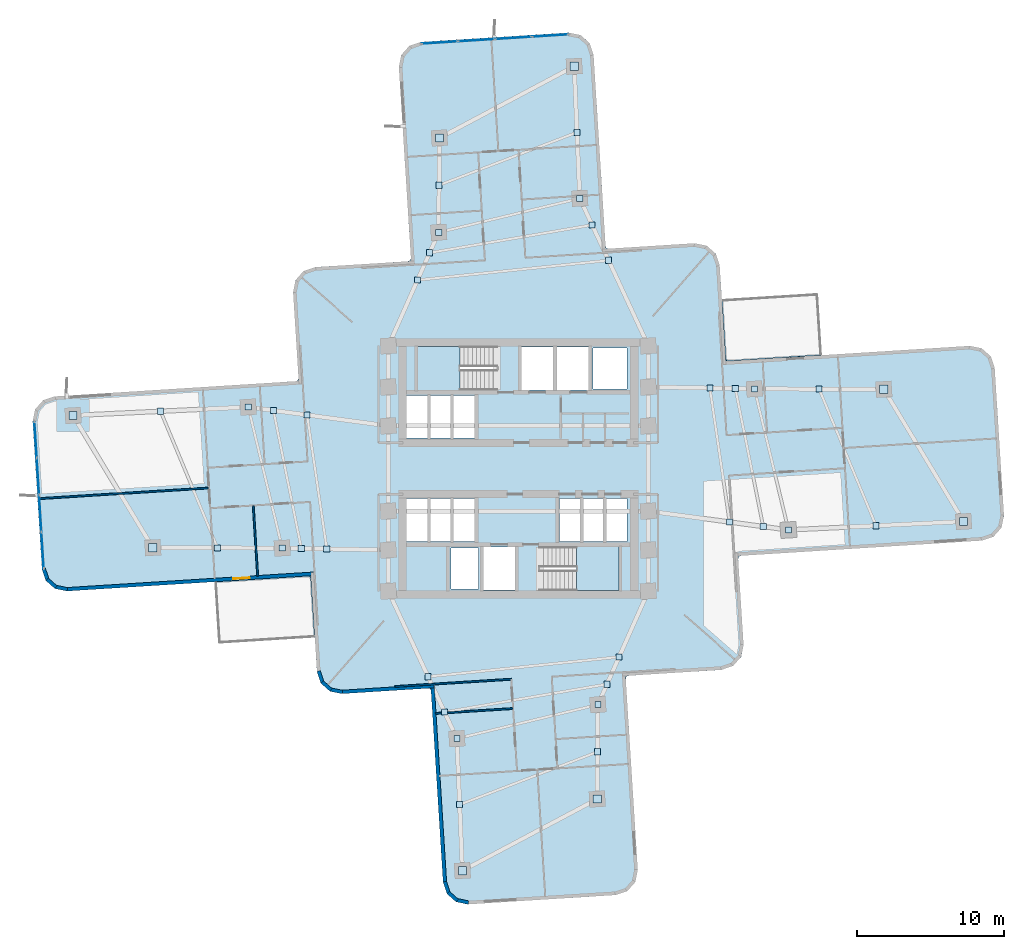
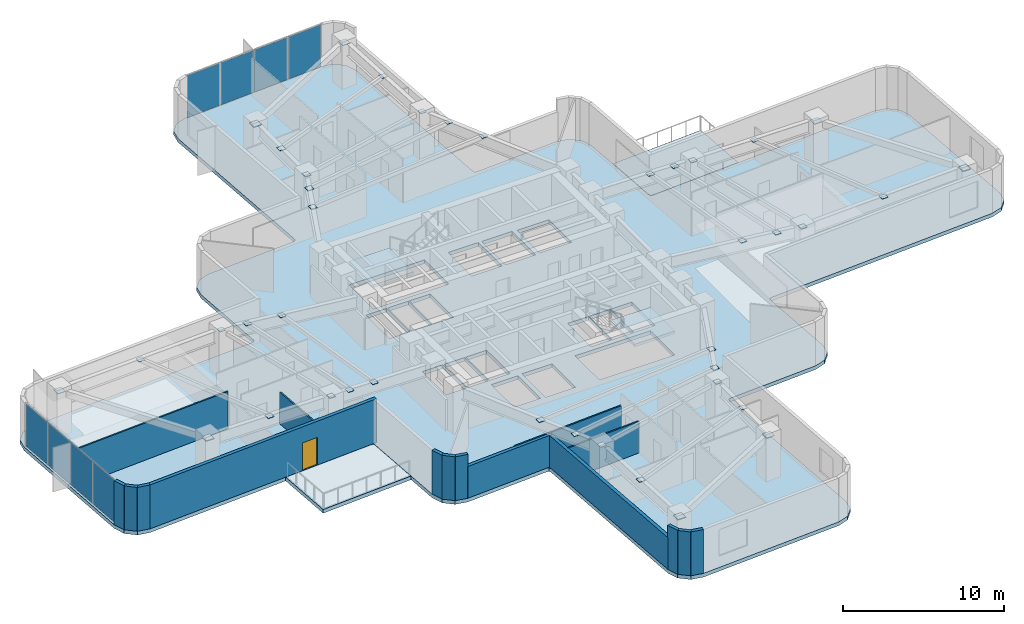
# One storey, part 7 of 16: 48 plates, 16 walls, 5 slabs, 1 door, 1 opening, 4 elements without a shape of their own.
"""IFC4 building model written with IfcOpenShell, lengths in metres."""

from ifc_helpers import new_model, si_unit, direction, frame, frame_2d, origin, origin_2d, place, context, subcontext, project, spatial, polyline, rectangle, outline, extrude, material, layer, layer_set, type_object, element, fill, aggregate, save


model = new_model("IFC4")

# Units and contexts
model_context = context("Model", 3, precision=1e-05, world=origin(), true_north=direction((0.0, 1.0)))
body_context = subcontext(model_context, "Body", "Model", "MODEL_VIEW")
ifc_project = project(units=[si_unit("LENGTHUNIT", "METRE"), si_unit("AREAUNIT", "SQUARE_METRE"), si_unit("VOLUMEUNIT", "CUBIC_METRE"), si_unit("PLANEANGLEUNIT", "RADIAN"), si_unit("MASSUNIT", "GRAM", prefix="KILO")], contexts=[model_context])

# Site, building, storey
site_placement = place(None, origin())
site = spatial("IfcSite", under=ifc_project, at=site_placement, CompositionType="ELEMENT")
building_placement = place(site_placement, origin())
building = spatial("IfcBuilding", under=site, at=building_placement, Name="Solmarez Civic Tower", CompositionType="ELEMENT")
storey_placement = place(building_placement, frame((0.0, 0.0, 53.280029296875)))
storey = spatial("IfcBuildingStorey", under=building, at=storey_placement, Name="L13", CompositionType="ELEMENT", Elevation=53.280029296875)

# Curtain wall, plates
ifc_material_1 = material(Name="Bronze Anodised Aluminium EN AW-6063 T6", Category="aluminium")
ifc_layer_1 = layer(ifc_material_1, 0.155029296875)
ifc_layer_set_1 = layer_set([ifc_layer_1], Name="Bronze Anodised Aluminium EN AW-6063 T6")
curtain_wall_type = type_object("IfcCurtainWallType", Name="CW-SYS-6", PredefinedType="NOTDEFINED", material=ifc_layer_set_1)
curtain_wall_1_placement = place(storey_placement, origin())
curtain_wall_1 = element("IfcCurtainWall", 1, at=curtain_wall_1_placement, inside=storey, type_object=curtain_wall_type, Name="L13 Stick-Built Curtain Wall 1", PredefinedType="NOTDEFINED")
ifc_material_2 = material(Name="Solar Control Low-E Laminated Vision Glass", Category="glass")
ifc_layer_2 = layer(ifc_material_2, 0.031982421875)
ifc_layer_set_2 = layer_set([ifc_layer_2], Name="Solar Control Low-E Laminated Vision Glass")
plate_type_1 = type_object("IfcPlateType", Name="CWP-GLAZ-32", PredefinedType="CURTAIN_PANEL", material=ifc_layer_set_2)
plate_1_placement = place(storey_placement, frame((-32.3935546875, -5.57470703125, 0.06005859375), z_axis=(0.0, 0.0, 1.0), x_axis=(-0.062877615886, 0.998021244974, 0.0)))
plate_1 = element("IfcPlate", 2, at=plate_1_placement, type_object=plate_type_1, Name="CWS6 panel 1.1", PredefinedType="CURTAIN_PANEL", context=body_context, shape_type="SweptSolid", body=[
    extrude(rectangle(XDim=2.419677734375, YDim=0.031982421875, at=origin_2d()), origin(), (0.0, 0.0, 1.0), 3.199951171875),
])
plate_2_placement = place(storey_placement, frame((-32.551025390625, -3.072265625, 0.06005859375), z_axis=(0.0, 0.0, 1.0), x_axis=(-0.062877615886, 0.998021244974, 0.0)))
plate_2 = element("IfcPlate", 3, at=plate_2_placement, type_object=plate_type_1, Name="CWS6 panel 2.1", PredefinedType="CURTAIN_PANEL", context=body_context, shape_type="SweptSolid", body=[
    extrude(rectangle(XDim=2.454833984375, YDim=0.031982421875, at=origin_2d()), origin(), (0.0, 0.0, 1.0), 3.199951171875),
])
plate_3_placement = place(storey_placement, frame((-32.7099609375, -0.552734375, 0.06005859375), z_axis=(0.0, 0.0, 1.0), x_axis=(-0.062877615886, 0.998021244974, 0.0)))
plate_3 = element("IfcPlate", 4, at=plate_3_placement, type_object=plate_type_1, Name="CWS6 panel 3.1", PredefinedType="CURTAIN_PANEL", context=body_context, shape_type="SweptSolid", body=[
    extrude(rectangle(XDim=2.454833984375, YDim=0.031982421875, at=origin_2d()), origin(), (0.0, 0.0, 1.0), 3.199951171875),
])
plate_4_placement = place(storey_placement, frame((-32.867431640625, 1.94970703125, 0.06005859375), z_axis=(0.0, 0.0, 1.0), x_axis=(-0.062877615886, 0.998021244974, 0.0)))
plate_4 = element("IfcPlate", 5, at=plate_4_placement, type_object=plate_type_1, Name="CWS6 panel 4.1", PredefinedType="CURTAIN_PANEL", context=body_context, shape_type="SweptSolid", body=[
    extrude(rectangle(XDim=2.419677734375, YDim=0.031982421875, at=origin_2d()), origin(), (0.0, 0.0, 1.0), 3.199951171875),
])
aggregate(curtain_wall_1, [plate_1, plate_2, plate_3, plate_4])

curtain_wall_2_placement = place(storey_placement, origin())
curtain_wall_2 = element("IfcCurtainWall", 6, at=curtain_wall_2_placement, inside=storey, type_object=curtain_wall_type, Name="L13 Stick-Built Curtain Wall 2", PredefinedType="NOTDEFINED")
plate_5_placement = place(storey_placement, frame((-5.36083984375, 29.00048828125, 0.06005859375), z_axis=(0.0, 0.0, 1.0), x_axis=(0.998020853431, 0.062883830323, 0.0)))
plate_5 = element("IfcPlate", 7, at=plate_5_placement, type_object=plate_type_1, Name="CWS6 panel 1.1", PredefinedType="CURTAIN_PANEL", context=body_context, shape_type="SweptSolid", body=[
    extrude(rectangle(XDim=2.41943359375, YDim=0.031982421875, at=origin_2d()), origin(), (0.0, 0.0, 1.0), 3.199951171875),
])
plate_6_placement = place(storey_placement, frame((-2.858642578125, 29.158203125, 0.06005859375), z_axis=(0.0, 0.0, 1.0), x_axis=(0.998020853431, 0.062883830323, 0.0)))
plate_6 = element("IfcPlate", 8, at=plate_6_placement, type_object=plate_type_1, Name="CWS6 panel 2.1", PredefinedType="CURTAIN_PANEL", context=body_context, shape_type="SweptSolid", body=[
    extrude(rectangle(XDim=2.45458984375, YDim=0.031982421875, at=origin_2d()), origin(), (0.0, 0.0, 1.0), 3.199951171875),
])
plate_7_placement = place(storey_placement, frame((-0.33935546875, 29.31689453125, 0.06005859375), z_axis=(0.0, 0.0, 1.0), x_axis=(0.998020853431, 0.062883830323, 0.0)))
plate_7 = element("IfcPlate", 9, at=plate_7_placement, type_object=plate_type_1, Name="CWS6 panel 3.1", PredefinedType="CURTAIN_PANEL", context=body_context, shape_type="SweptSolid", body=[
    extrude(rectangle(XDim=2.45458984375, YDim=0.031982421875, at=origin_2d()), origin(), (0.0, 0.0, 1.0), 3.199951171875),
])
plate_8_placement = place(storey_placement, frame((2.162841796875, 29.474609375, 0.06005859375), z_axis=(0.0, 0.0, 1.0), x_axis=(0.998020853431, 0.062883830323, 0.0)))
plate_8 = element("IfcPlate", 10, at=plate_8_placement, type_object=plate_type_1, Name="CWS6 panel 4.1", PredefinedType="CURTAIN_PANEL", context=body_context, shape_type="SweptSolid", body=[
    extrude(rectangle(XDim=2.41943359375, YDim=0.031982421875, at=origin_2d()), origin(), (0.0, 0.0, 1.0), 3.199951171875),
])
aggregate(curtain_wall_2, [plate_5, plate_6, plate_7, plate_8])

# Plates
ifc_material_3 = material(Name="Steel S355", Category="steel")
ifc_layer_3 = layer(ifc_material_3, 0.02392578125)
ifc_layer_set_3 = layer_set([ifc_layer_3], Name="Steel S355")
plate_type_2 = type_object("IfcPlateType", Name="PLT-CAP-380", PredefinedType="USERDEFINED", material=ifc_layer_set_3)
for number, where, z_axis, x_axis, name in (
    (11, (18.39111328125, -4.18408203125, 3.157958984375), (0.0, 0.0, 1.0), (1.0, 0.0, 0.0), "Steel Member End Cap Plate CAP-BM-L13-EA-T1-0"),
    (12, (16.075927734375, 5.4208984375, 3.157958984375), (0.0, 0.0, 1.0), (1.0, 0.0, 0.0), "Steel Member End Cap Plate CAP-BM-L13-EA-T1-1"),
    (13, (24.35498046875, -3.89697265625, 3.157958984375), (0.0, 0.0, 1.0), (1.0, 0.0, 0.0), "Steel Member End Cap Plate CAP-JS-L13-EA-M2-0"),
    (14, (20.48193359375, 5.406982421875, 3.157958984375), (0.0, 0.0, 1.0), (1.0, 0.0, 0.0), "Steel Member End Cap Plate CAP-JS-L13-EA-M2-1"),
    (15, (14.384033203125, -3.64501953125, 3.157958984375), (0.0, 0.0, 1.0), (1.0, 0.0, 0.0), "Steel Member End Cap Plate CAP-JS-L13-EA-M11-0"),
    (16, (13.041015625, 5.47509765625, 3.157958984375), (0.0, 0.0, 1.0), (1.0, 0.0, 0.0), "Steel Member End Cap Plate CAP-JS-L13-EA-M11-1"),
    (17, (16.674072265625, -3.952880859375, 3.157958984375), (0.0, 0.0, 1.0), (1.0, 0.0, 0.0), "Steel Member End Cap Plate CAP-JS-L13-EA-M12-0"),
    (18, (14.77490234375, 5.444091796875, 3.157958984375), (0.0, 0.0, 1.0), (1.0, 0.0, 0.0), "Steel Member End Cap Plate CAP-JS-L13-EA-M12-1"),
    (19, (4.18408203125, 18.39111328125, 3.157958984375), (0.0, 0.0, 1.0), (1.0, 0.0, 0.0), "Steel Member End Cap Plate CAP-BM-L13-NA-T1-0"),
    (20, (-5.4208984375, 16.075927734375, 3.157958984375), (0.0, 0.0, 1.0), (1.0, 0.0, 0.0), "Steel Member End Cap Plate CAP-BM-L13-NA-T1-1"),
    (21, (3.9951171875, 22.886962890625, 3.157958984375), (0.0, 0.0, 1.0), (1.0, 0.0, 0.0), "Steel Member End Cap Plate CAP-JS-L13-NA-M2-0"),
    (22, (-5.39599609375, 19.291015625, 3.157958984375), (0.0, 0.0, 1.0), (1.0, 0.0, 0.0), "Steel Member End Cap Plate CAP-JS-L13-NA-M2-1"),
    (23, (6.14404296875, 14.174072265625, 3.157958984375), (0.0, 0.0, 1.0), (1.0, 0.0, 0.0), "Steel Member End Cap Plate CAP-JS-L13-NA-M11-0"),
    (24, (-6.861083984375, 12.8310546875, 3.157958984375), (0.0, 0.0, 1.0), (1.0, 0.0, 0.0), "Steel Member End Cap Plate CAP-JS-L13-NA-M11-1"),
    (25, (5.02392578125, 16.583984375, 3.157958984375), (0.0, 0.0, 1.0), (1.0, 0.0, 0.0), "Steel Member End Cap Plate CAP-JS-L13-NA-M12-0"),
    (26, (-6.0380859375, 14.68505859375, 3.157958984375), (0.0, 0.0, 1.0), (1.0, 0.0, 0.0), "Steel Member End Cap Plate CAP-JS-L13-NA-M12-1"),
    (27, (-18.39111328125, 4.18408203125, 3.157958984375), (0.0, 0.0, 1.0), (1.0, 0.0, 0.0), "Steel Member End Cap Plate CAP-BM-L13-WA-T1-0"),
    (28, (-16.075927734375, -5.4208984375, 3.157958984375), (0.0, 0.0, 1.0), (1.0, 0.0, 0.0), "Steel Member End Cap Plate CAP-BM-L13-WA-T1-1"),
    (29, (-24.35498046875, 3.89697265625, 3.157958984375), (0.0, 0.0, 1.0), (1.0, 0.0, 0.0), "Steel Member End Cap Plate CAP-JS-L13-WA-M2-0"),
    (30, (-20.48193359375, -5.406982421875, 3.157958984375), (0.0, 0.0, 1.0), (1.0, 0.0, 0.0), "Steel Member End Cap Plate CAP-JS-L13-WA-M2-1"),
    (31, (-14.384033203125, 3.64501953125, 3.157958984375), (0.0, 0.0, 1.0), (1.0, 0.0, 0.0), "Steel Member End Cap Plate CAP-JS-L13-WA-M11-0"),
    (32, (-13.041015625, -5.47509765625, 3.157958984375), (0.0, 0.0, 1.0), (1.0, 0.0, 0.0), "Steel Member End Cap Plate CAP-JS-L13-WA-M11-1"),
    (33, (-16.674072265625, 3.952880859375, 3.157958984375), (0.0, 0.0, 1.0), (1.0, 0.0, 0.0), "Steel Member End Cap Plate CAP-JS-L13-WA-M12-0"),
    (34, (-14.77490234375, -5.444091796875, 3.157958984375), (0.0, 0.0, 1.0), (1.0, 0.0, 0.0), "Steel Member End Cap Plate CAP-JS-L13-WA-M12-1"),
    (35, (-4.18408203125, -18.39111328125, 3.157958984375), (0.0, 0.0, 1.0), (1.0, 0.0, 0.0), "Steel Member End Cap Plate CAP-BM-L13-SA-T1-0"),
    (36, (5.4208984375, -16.075927734375, 3.157958984375), (0.0, 0.0, 1.0), (1.0, 0.0, 0.0), "Steel Member End Cap Plate CAP-BM-L13-SA-T1-1"),
    (37, (-3.9951171875, -22.886962890625, 3.157958984375), (0.0, 0.0, 1.0), (1.0, 0.0, 0.0), "Steel Member End Cap Plate CAP-JS-L13-SA-M2-0"),
    (38, (5.39599609375, -19.291015625, 3.157958984375), (0.0, 0.0, 1.0), (1.0, 0.0, 0.0), "Steel Member End Cap Plate CAP-JS-L13-SA-M2-1"),
    (39, (-6.14404296875, -14.174072265625, 3.157958984375), (0.0, 0.0, 1.0), (1.0, 0.0, 0.0), "Steel Member End Cap Plate CAP-JS-L13-SA-M11-0"),
    (40, (6.861083984375, -12.8310546875, 3.157958984375), (0.0, 0.0, 1.0), (1.0, 0.0, 0.0), "Steel Member End Cap Plate CAP-JS-L13-SA-M11-1"),
    (41, (-5.02392578125, -16.583984375, 3.157958984375), (0.0, 0.0, 1.0), (1.0, 0.0, 0.0), "Steel Member End Cap Plate CAP-JS-L13-SA-M12-0"),
    (42, (6.0380859375, -14.68505859375, 3.157958984375), (0.0, 0.0, 1.0), (1.0, 0.0, 0.0), "Steel Member End Cap Plate CAP-JS-L13-SA-M12-1"),
):
    element("IfcPlate", number, at=place(storey_placement, frame(where, z_axis=z_axis, x_axis=x_axis)), inside=storey, type_object=plate_type_2, Name=name, ObjectType="CAP_PLATE", PredefinedType="USERDEFINED", context=body_context, shape_type="SweptSolid", body=[
        extrude(rectangle(XDim=0.419921875, YDim=0.419921875, at=origin_2d()), origin(), (0.0, 0.0, 1.0), 0.02392578125),
    ])
ifc_layer_4 = layer(ifc_material_3, 0.028076171875)
ifc_layer_set_4 = layer_set([ifc_layer_4], Name="Steel S355")
plate_type_3 = type_object("IfcPlateType", Name="PLT-CAP-540", PredefinedType="USERDEFINED", material=ifc_layer_set_4)
for number, where, z_axis, x_axis, name in (
    (43, (30.318115234375, -3.60888671875, 3.05615234375), (0.0, 0.0, 1.0), (1.0, 0.0, 0.0), "Steel Member End Cap Plate CAP-BM-L13-EA-T2-0"),
    (44, (24.887939453125, 5.39306640625, 3.05615234375), (0.0, 0.0, 1.0), (1.0, 0.0, 0.0), "Steel Member End Cap Plate CAP-BM-L13-EA-T2-1"),
    (45, (3.806884765625, 27.383056640625, 3.05615234375), (0.0, 0.0, 1.0), (1.0, 0.0, 0.0), "Steel Member End Cap Plate CAP-BM-L13-NA-T2-0"),
    (46, (-5.3720703125, 22.507080078125, 3.05615234375), (0.0, 0.0, 1.0), (1.0, 0.0, 0.0), "Steel Member End Cap Plate CAP-BM-L13-NA-T2-1"),
    (47, (-30.318115234375, 3.60888671875, 3.05615234375), (0.0, 0.0, 1.0), (1.0, 0.0, 0.0), "Steel Member End Cap Plate CAP-BM-L13-WA-T2-0"),
    (48, (-24.887939453125, -5.39306640625, 3.05615234375), (0.0, 0.0, 1.0), (1.0, 0.0, 0.0), "Steel Member End Cap Plate CAP-BM-L13-WA-T2-1"),
    (49, (-3.806884765625, -27.383056640625, 3.05615234375), (0.0, 0.0, 1.0), (1.0, 0.0, 0.0), "Steel Member End Cap Plate CAP-BM-L13-SA-T2-0"),
    (50, (5.3720703125, -22.507080078125, 3.05615234375), (0.0, 0.0, 1.0), (1.0, 0.0, 0.0), "Steel Member End Cap Plate CAP-BM-L13-SA-T2-1"),
):
    element("IfcPlate", number, at=place(storey_placement, frame(where, z_axis=z_axis, x_axis=x_axis)), inside=storey, type_object=plate_type_3, Name=name, ObjectType="CAP_PLATE", PredefinedType="USERDEFINED", context=body_context, shape_type="SweptSolid", body=[
        extrude(rectangle(XDim=0.56005859375, YDim=0.56005859375, at=origin_2d()), origin(), (0.0, 0.0, 1.0), 0.028076171875),
    ])

# Stair, slab
ifc_material_4 = material(Name="Concrete C50/60", Category="concrete")
stair_type = type_object("IfcStairType", Name="STAIR-DOGLEG-140W-20R-1800", PredefinedType="HALF_TURN_STAIR", material=ifc_material_4)
stair_1_placement = place(storey_placement, origin())
stair_1 = element("IfcStair", 51, at=stair_1_placement, inside=storey, type_object=stair_type, Name="L13 North Core Protected Exit Stair ST-1", PredefinedType="HALF_TURN_STAIR")
ifc_layer_5 = layer(ifc_material_4, 0.199951171875)
ifc_layer_set_5 = layer_set([ifc_layer_5], Name="Concrete C50/60")
slab_type_1 = type_object("IfcSlabType", Name="SLAB-LANDING-200", PredefinedType="LANDING", material=ifc_layer_set_5)
slab_1_placement = place(storey_placement, frame((0.0, 0.0, 1.599853515625)))
slab_1 = element("IfcSlab", 52, at=slab_1_placement, type_object=slab_type_1, Name="ST-1 landing 1", PredefinedType="LANDING", context=body_context, shape_type="SweptSolid", body=[
    extrude(outline(polyline([(-3.969970703125, 8.320068359375), (-6.85009765625, 8.320068359375), (-6.85009765625, 5.320068359375), (-3.969970703125, 5.320068359375), (-3.969970703125, 8.320068359375)])), origin(), (0.0, 0.0, 1.0), 0.2001953125),
])
aggregate(stair_1, [slab_1])

stair_2_placement = place(storey_placement, origin())
stair_2 = element("IfcStair", 53, at=stair_2_placement, inside=storey, type_object=stair_type, Name="L13 South Core Protected Exit Stair ST-2", PredefinedType="HALF_TURN_STAIR")
slab_2_placement = place(storey_placement, frame((0.0, 0.0, 1.599853515625)))
slab_2 = element("IfcSlab", 54, at=slab_2_placement, type_object=slab_type_1, Name="ST-2 landing 1", PredefinedType="LANDING", context=body_context, shape_type="SweptSolid", body=[
    extrude(outline(polyline([(3.969970703125, -8.320068359375), (6.85009765625, -8.320068359375), (6.85009765625, -5.320068359375), (3.969970703125, -5.320068359375), (3.969970703125, -8.320068359375)])), origin(), (0.0, 0.0, 1.0), 0.2001953125),
])
aggregate(stair_2, [slab_2])

# Slabs
ifc_layer_6 = layer(ifc_material_4, 0.280029296875)
ifc_layer_set_6 = layer_set([ifc_layer_6], Name="Concrete C50/60")
slab_type_2 = type_object("IfcSlabType", Name="SLAB-TOWER-280", PredefinedType="FLOOR", material=ifc_layer_set_6)
slab_3_placement = place(storey_placement, frame((0.0, 0.0, -0.280029296875)))
element("IfcSlab", 55, at=slab_3_placement, inside=storey, type_object=slab_type_2, Name="L13 Structural Slab", PredefinedType="FLOOR", context=body_context, shape_type="SweptSolid", body=[
    extrude(outline(polyline([(-14.10595703125, -7.510986328125), (-13.7080078125, -13.837890625), (-13.444091796875, -14.623046875), (-12.822998046875, -15.1708984375), (-12.010986328125, -15.333984375), (-6.1630859375, -14.967041015625), (-5.993896484375, -15.0009765625), (-5.93994140625, -15.1640625), (-5.12109375, -28.177001953125), (-4.85693359375, -28.9619140625), (-4.235107421875, -29.510009765625), (-3.424072265625, -29.674072265625), (6.636962890625, -29.041015625), (7.422119140625, -28.77587890625), (7.968994140625, -28.155029296875), (8.133056640625, -27.343017578125), (7.31396484375, -14.330078125), (7.347900390625, -14.160888671875), (7.510986328125, -14.10595703125), (13.837890625, -13.7080078125), (14.623046875, -13.444091796875), (15.1708984375, -12.822998046875), (15.333984375, -12.010986328125), (14.967041015625, -6.1630859375), (15.0009765625, -5.993896484375), (15.1640625, -5.93994140625), (31.570068359375, -4.906982421875), (32.35498046875, -4.64306640625), (32.903076171875, -4.02197265625), (33.06689453125, -3.2099609375), (32.43408203125, 6.85009765625), (32.169921875, 7.635009765625), (31.548095703125, 8.18310546875), (30.737060546875, 8.345947265625), (14.330078125, 7.31396484375), (14.160888671875, 7.347900390625), (14.10595703125, 7.510986328125), (13.7080078125, 13.837890625), (13.444091796875, 14.623046875), (12.822998046875, 15.1708984375), (12.010986328125, 15.333984375), (6.1630859375, 14.967041015625), (5.993896484375, 15.0009765625), (5.93994140625, 15.1640625), (5.12109375, 28.177001953125), (4.85693359375, 28.9619140625), (4.235107421875, 29.510009765625), (3.424072265625, 29.674072265625), (-6.636962890625, 29.041015625), (-7.422119140625, 28.77587890625), (-7.968994140625, 28.155029296875), (-8.133056640625, 27.343017578125), (-7.31396484375, 14.330078125), (-7.347900390625, 14.160888671875), (-7.510986328125, 14.10595703125), (-13.837890625, 13.7080078125), (-14.623046875, 13.444091796875), (-15.1708984375, 12.822998046875), (-15.333984375, 12.010986328125), (-14.967041015625, 6.1630859375), (-15.0009765625, 5.993896484375), (-15.1640625, 5.93994140625), (-31.570068359375, 4.906982421875), (-32.35498046875, 4.64306640625), (-32.903076171875, 4.02197265625), (-33.06689453125, 3.2099609375), (-32.43408203125, -6.85009765625), (-32.169921875, -7.635009765625), (-31.548095703125, -8.18310546875), (-30.737060546875, -8.345947265625), (-14.330078125, -7.31396484375), (-14.160888671875, -7.347900390625), (-14.10595703125, -7.510986328125)]), holes=[polyline([(-1.449951171875, 8.320068359375), (-6.85009765625, 8.320068359375), (-6.85009765625, 5.320068359375), (-1.449951171875, 5.320068359375), (-1.449951171875, 8.320068359375)]), polyline([(1.449951171875, -8.320068359375), (6.85009765625, -8.320068359375), (6.85009765625, -5.320068359375), (1.449951171875, -5.320068359375), (1.449951171875, -8.320068359375)]), polyline([(0.219970703125, 5.360107421875), (2.3798828125, 5.360107421875), (2.3798828125, 8.280029296875), (0.219970703125, 8.280029296875), (0.219970703125, 5.360107421875)]), polyline([(2.6201171875, 5.360107421875), (4.780029296875, 5.360107421875), (4.780029296875, 8.280029296875), (2.6201171875, 8.280029296875), (2.6201171875, 5.360107421875)]), polyline([(-2.3798828125, -8.280029296875), (-0.219970703125, -8.280029296875), (-0.219970703125, -5.360107421875), (-2.3798828125, -5.360107421875), (-2.3798828125, -8.280029296875)]), polyline([(2.800048828125, -4.9599609375), (4.280029296875, -4.9599609375), (4.280029296875, -2.06005859375), (2.800048828125, -2.06005859375), (2.800048828125, -4.9599609375)]), polyline([(4.360107421875, -4.9599609375), (5.840087890625, -4.9599609375), (5.840087890625, -2.06005859375), (4.360107421875, -2.06005859375), (4.360107421875, -4.9599609375)]), polyline([(5.919921875, -4.9599609375), (7.39990234375, -4.9599609375), (7.39990234375, -2.06005859375), (5.919921875, -2.06005859375), (5.919921875, -4.9599609375)]), polyline([(-7.60009765625, -4.9599609375), (-6.1201171875, -4.9599609375), (-6.1201171875, -2.06005859375), (-7.60009765625, -2.06005859375), (-7.60009765625, -4.9599609375)]), polyline([(-6.0400390625, -4.9599609375), (-4.56005859375, -4.9599609375), (-4.56005859375, -2.06005859375), (-6.0400390625, -2.06005859375), (-6.0400390625, -4.9599609375)]), polyline([(-4.47998046875, -4.9599609375), (-3.0, -4.9599609375), (-3.0, -2.06005859375), (-4.47998046875, -2.06005859375), (-4.47998046875, -4.9599609375)]), polyline([(-7.60009765625, 2.06005859375), (-6.1201171875, 2.06005859375), (-6.1201171875, 4.9599609375), (-7.60009765625, 4.9599609375), (-7.60009765625, 2.06005859375)]), polyline([(-6.0400390625, 2.06005859375), (-4.56005859375, 2.06005859375), (-4.56005859375, 4.9599609375), (-6.0400390625, 4.9599609375), (-6.0400390625, 2.06005859375)]), polyline([(-4.47998046875, 2.06005859375), (-3.0, 2.06005859375), (-3.0, 4.9599609375), (-4.47998046875, 4.9599609375), (-4.47998046875, 2.06005859375)]), polyline([(5.10009765625, 5.419921875), (7.39990234375, 5.419921875), (7.39990234375, 8.219970703125), (5.10009765625, 8.219970703125), (5.10009765625, 5.419921875)]), polyline([(-4.60009765625, -8.219970703125), (-2.699951171875, -8.219970703125), (-2.699951171875, -5.419921875), (-4.60009765625, -5.419921875), (-4.60009765625, -8.219970703125)])]), origin(), (0.0, 0.0, 1.0), 0.280029296875),
])
slab_4_placement = place(storey_placement, frame((0.0, 0.0, -0.280029296875)))
element("IfcSlab", 56, at=slab_4_placement, inside=storey, type_object=slab_type_2, Name="L13 Re-entrant Corner Winter-Garden Balcony NE", PredefinedType="FLOOR", context=body_context, shape_type="SweptSolid", body=[
    extrude(outline(polyline([(13.85791015625, 11.492919921875), (14.10791015625, 7.511962890625), (14.1630859375, 7.35009765625), (14.330078125, 7.31591796875), (20.656005859375, 7.714111328125), (20.39306640625, 11.904052734375), (13.85791015625, 11.492919921875)])), origin(), (0.0, 0.0, 1.0), 0.280029296875),
])
slab_5_placement = place(storey_placement, frame((0.0, 0.0, -0.280029296875)))
element("IfcSlab", 57, at=slab_5_placement, inside=storey, type_object=slab_type_2, Name="L13 Re-entrant Corner Winter-Garden Balcony SW", PredefinedType="FLOOR", context=body_context, shape_type="SweptSolid", body=[
    extrude(outline(polyline([(-13.85791015625, -11.492919921875), (-14.10791015625, -7.511962890625), (-14.1630859375, -7.35009765625), (-14.330078125, -7.31591796875), (-20.656005859375, -7.714111328125), (-20.39306640625, -11.904052734375), (-13.85791015625, -11.492919921875)])), origin(), (0.0, 0.0, 1.0), 0.280029296875),
])

# Wall, opening, door
ifc_material_5 = material(Name="Precast concrete C40/50", Category="concrete")
ifc_layer_7 = layer(ifc_material_5, 0.239990234375)
ifc_layer_set_7 = layer_set([ifc_layer_7], Name="Precast concrete C40/50")
wall_type_1 = type_object("IfcWallType", Name="WALL-EXT-240", PredefinedType="SOLIDWALL", material=ifc_layer_set_7)
wall_1_placement = place(storey_placement, frame((-13.910888671875, -7.1669921875, 0.0), z_axis=(0.0, 0.0, 1.0), x_axis=(-0.99802143782, -0.062874554885, 0.0)))
wall_1 = element("IfcWall", 58, at=wall_1_placement, inside=storey, type_object=wall_type_1, Name="L13 Exterior Precast Wall 2", PredefinedType="SOLIDWALL", context=body_context, shape_type="SweptSolid", body=[
    extrude(rectangle(XDim=16.87548828125, YDim=0.239990234375, at=frame_2d((8.437744140625, 0.0))), origin(), (0.0, 0.0, 1.0), 3.320068359375),
])
opening_placement = place(wall_1_placement, frame((4.39990234375, 0.0, 0.0)))
opening = element("IfcOpeningElement", 59, at=opening_placement, cuts=wall_1, Name="Opening D-06", PredefinedType="OPENING", context=body_context, shape_type="SweptSolid", body=[
    extrude(rectangle(XDim=1.10009765625, YDim=2.10009765625, at=frame_2d((0.550048828125, 1.050048828125))), frame((0.0, 0.1298828125, 0.0), z_axis=(0.0, -1.0, 0.0), x_axis=(1.0, 0.0, 0.0)), (0.0, 0.0, 1.0), 0.260009765625),
])
ifc_material_6 = material(Name="Bronze Anodised Aluminium Glazed Terrace Door", Category="aluminium")
door_type = type_object("IfcDoorType", Name="DOOR-TERR-1100", OperationType="NOTDEFINED", PredefinedType="DOOR", material=ifc_material_6)
door_placement = place(opening_placement, origin())
door = element("IfcDoor", 60, at=door_placement, inside=storey, type_object=door_type, Name="L13 Outdoor Terrace Glazed Door", OperationType="SINGLE_SWING_RIGHT", OverallHeight=2.10009765625, OverallWidth=1.10009765625, PredefinedType="DOOR", context=body_context, shape_type="SweptSolid", body=[
    extrude(rectangle(XDim=1.10009765625, YDim=2.10009765625, at=frame_2d((0.550048828125, 1.050048828125))), frame((0.0, 0.02490234375, 0.0), z_axis=(0.0, -1.0, 0.0), x_axis=(1.0, 0.0, 0.0)), (0.0, 0.0, 1.0), 0.050048828125),
])
fill(opening, door)

# Walls
wall_2_placement = place(storey_placement, frame((-30.702880859375, -8.23095703125, 0.0), z_axis=(0.0, 0.0, 1.0), x_axis=(-0.980115061473, 0.198430003461, 0.0)))
element("IfcWall", 61, at=wall_2_placement, inside=storey, type_object=wall_type_1, Name="L13 Exterior Precast Wall 3", PredefinedType="SOLIDWALL", context=body_context, shape_type="SweptSolid", body=[
    extrude(rectangle(XDim=0.831787109375, YDim=0.239990234375, at=frame_2d((0.416015625, 0.0))), origin(), (0.0, 0.0, 1.0), 3.320068359375),
])
wall_3_placement = place(storey_placement, frame((-31.47412109375, -8.087890625, 0.0), z_axis=(0.0, 0.0, 1.0), x_axis=(-0.749934065497, 0.661512582954, 0.0)))
element("IfcWall", 62, at=wall_3_placement, inside=storey, type_object=wall_type_1, Name="L13 Exterior Precast Wall 4", PredefinedType="SOLIDWALL", context=body_context, shape_type="SweptSolid", body=[
    extrude(rectangle(XDim=0.814453125, YDim=0.239990234375, at=frame_2d((0.4072265625, 0.0))), origin(), (0.0, 0.0, 1.0), 3.320068359375),
])
wall_4_placement = place(storey_placement, frame((-32.05810546875, -7.590087890625, 0.0), z_axis=(0.0, 0.0, 1.0), x_axis=(-0.318960399163, 0.947768043229, 0.0)))
element("IfcWall", 63, at=wall_4_placement, inside=storey, type_object=wall_type_1, Name="L13 Exterior Precast Wall 5", PredefinedType="SOLIDWALL", context=body_context, shape_type="SweptSolid", body=[
    extrude(rectangle(XDim=0.83056640625, YDim=0.239990234375, at=frame_2d((0.415283203125, 0.0))), origin(), (0.0, 0.0, 1.0), 3.320068359375),
])
wall_5_placement = place(storey_placement, frame((-3.389892578125, -29.55810546875, 0.0), z_axis=(0.0, 0.0, 1.0), x_axis=(-0.980342817353, 0.19730169909, 0.0)))
element("IfcWall", 64, at=wall_5_placement, inside=storey, type_object=wall_type_1, Name="L13 Exterior Precast Wall 61", PredefinedType="SOLIDWALL", context=body_context, shape_type="SweptSolid", body=[
    extrude(rectangle(XDim=0.83154296875, YDim=0.239990234375, at=frame_2d((0.415771484375, 0.0))), origin(), (0.0, 0.0, 1.0), 3.320068359375),
])
wall_6_placement = place(storey_placement, frame((-4.160888671875, -29.416015625, 0.0), z_axis=(0.0, 0.0, 1.0), x_axis=(-0.749322176211, 0.662205614774, 0.0)))
element("IfcWall", 65, at=wall_6_placement, inside=storey, type_object=wall_type_1, Name="L13 Exterior Precast Wall 62", PredefinedType="SOLIDWALL", context=body_context, shape_type="SweptSolid", body=[
    extrude(rectangle(XDim=0.8154296875, YDim=0.239990234375, at=frame_2d((0.40771484375, 0.0))), origin(), (0.0, 0.0, 1.0), 3.320068359375),
])
wall_7_placement = place(storey_placement, frame((-4.7451171875, -28.9169921875, 0.0), z_axis=(0.0, 0.0, 1.0), x_axis=(-0.318960399163, 0.947768043229, 0.0)))
element("IfcWall", 66, at=wall_7_placement, inside=storey, type_object=wall_type_1, Name="L13 Exterior Precast Wall 63", PredefinedType="SOLIDWALL", context=body_context, shape_type="SweptSolid", body=[
    extrude(rectangle(XDim=0.83056640625, YDim=0.239990234375, at=frame_2d((0.415283203125, 0.0))), origin(), (0.0, 0.0, 1.0), 3.320068359375),
])
wall_8_placement = place(storey_placement, frame((-5.0, -28.178955078125, 0.0), z_axis=(0.0, 0.0, 1.0), x_axis=(-0.062848621891, 0.99802307124, 0.0)))
element("IfcWall", 67, at=wall_8_placement, inside=storey, type_object=wall_type_1, Name="L13 Exterior Precast Wall 64", PredefinedType="SOLIDWALL", context=body_context, shape_type="SweptSolid", body=[
    extrude(rectangle(XDim=13.4755859375, YDim=0.239990234375, at=frame_2d((6.73779296875, 0.0))), origin(), (0.0, 0.0, 1.0), 2.40087890625),
])
wall_9_placement = place(storey_placement, frame((-5.7451171875, -14.820068359375, 0.0), z_axis=(0.0, 0.0, 1.0), x_axis=(-0.998019696231, -0.062902193405, 0.0)))
element("IfcWall", 68, at=wall_9_placement, inside=storey, type_object=wall_type_1, Name="L13 Exterior Precast Wall 67", PredefinedType="SOLIDWALL", context=body_context, shape_type="SweptSolid", body=[
    extrude(rectangle(XDim=6.29541015625, YDim=0.239990234375, at=frame_2d((3.147705078125, 0.0))), origin(), (0.0, 0.0, 1.0), 2.40087890625),
])
wall_10_placement = place(storey_placement, frame((-11.97802734375, -15.218994140625, 0.0), z_axis=(0.0, 0.0, 1.0), x_axis=(-0.980057147523, 0.198715846348, 0.0)))
element("IfcWall", 69, at=wall_10_placement, inside=storey, type_object=wall_type_1, Name="L13 Exterior Precast Wall 68", PredefinedType="SOLIDWALL", context=body_context, shape_type="SweptSolid", body=[
    extrude(rectangle(XDim=0.83056640625, YDim=0.239990234375, at=frame_2d((0.415283203125, 0.0))), origin(), (0.0, 0.0, 1.0), 3.320068359375),
])
wall_11_placement = place(storey_placement, frame((-12.748046875, -15.075927734375, 0.0), z_axis=(0.0, 0.0, 1.0), x_axis=(-0.750588777208, 0.66076961759, 0.0)))
element("IfcWall", 70, at=wall_11_placement, inside=storey, type_object=wall_type_1, Name="L13 Exterior Precast Wall 69", PredefinedType="SOLIDWALL", context=body_context, shape_type="SweptSolid", body=[
    extrude(rectangle(XDim=0.8154296875, YDim=0.239990234375, at=frame_2d((0.40771484375, 0.0))), origin(), (0.0, 0.0, 1.0), 3.320068359375),
])
wall_12_placement = place(storey_placement, frame((-13.3330078125, -14.577880859375, 0.0), z_axis=(0.0, 0.0, 1.0), x_axis=(-0.317992207862, 0.948093326492, 0.0)))
element("IfcWall", 71, at=wall_12_placement, inside=storey, type_object=wall_type_1, Name="L13 Exterior Precast Wall 70", PredefinedType="SOLIDWALL", context=body_context, shape_type="SweptSolid", body=[
    extrude(rectangle(XDim=0.829833984375, YDim=0.239990234375, at=frame_2d((0.4150390625, 0.0))), origin(), (0.0, 0.0, 1.0), 3.320068359375),
])
ifc_material_7 = material(Name="Gypsum Board Acoustic Steel-Stud Partition", Category="steel")
ifc_layer_8 = layer(ifc_material_7, 0.10009765625)
ifc_layer_set_8 = layer_set([ifc_layer_8], Name="Gypsum Board Acoustic Steel-Stud Partition")
wall_type_2 = type_object("IfcWallType", Name="WALL-INT-PART-100", PredefinedType="PARTITIONING", material=ifc_layer_set_8)
wall_13_placement = place(storey_placement, frame((-18.0458984375, -2.5380859375, 0.0), z_axis=(0.0, 0.0, 1.0), x_axis=(0.062723771889, -0.998030925593, 0.0)))
element("IfcWall", 72, at=wall_13_placement, inside=storey, type_object=wall_type_2, Name="L13 Interior Partition PT-L13-W-LM", PredefinedType="PARTITIONING", context=body_context, shape_type="SweptSolid", body=[
    extrude(rectangle(XDim=4.79541015625, YDim=0.10009765625, at=frame_2d((2.397705078125, 0.0))), origin(), (0.0, 0.0, 1.0), 2.40087890625),
])
wall_14_placement = place(storey_placement, frame((-21.117919921875, -1.3291015625, 0.0), z_axis=(0.0, 0.0, 1.0), x_axis=(-0.998026908856, -0.062787651642, 0.0)))
element("IfcWall", 73, at=wall_14_placement, inside=storey, type_object=wall_type_2, Name="L13 Interior Partition PT-L13-W-TM", PredefinedType="PARTITIONING", context=body_context, shape_type="SweptSolid", body=[
    extrude(rectangle(XDim=11.435546875, YDim=0.10009765625, at=frame_2d((5.7177734375, 0.0))), origin(), (0.0, 0.0, 1.0), 2.81201171875),
])
wall_15_placement = place(storey_placement, frame((-8.404052734375, -14.846923828125, 0.0), z_axis=(0.0, 0.0, 1.0), x_axis=(0.998027884619, 0.062772139706, 0.0)))
element("IfcWall", 74, at=wall_15_placement, inside=storey, type_object=wall_type_2, Name="L13 Interior Partition PT-L13-S-EFR", PredefinedType="PARTITIONING", context=body_context, shape_type="SweptSolid", body=[
    extrude(rectangle(XDim=7.94970703125, YDim=0.10009765625, at=frame_2d((3.974853515625, 0.0))), origin(), (0.0, 0.0, 1.0), 2.40087890625),
])
wall_16_placement = place(storey_placement, frame((-5.638916015625, -16.677001953125, 0.0), z_axis=(0.0, 0.0, 1.0), x_axis=(0.998028916901, 0.062755725078, 0.0)))
element("IfcWall", 75, at=wall_16_placement, inside=storey, type_object=wall_type_2, Name="L13 Interior Partition PT-L13-S-RM", PredefinedType="PARTITIONING", context=body_context, shape_type="SweptSolid", body=[
    extrude(rectangle(XDim=5.275390625, YDim=0.10009765625, at=frame_2d((2.6376953125, 0.0))), origin(), (0.0, 0.0, 1.0), 2.40087890625),
])

save(model, "model.ifc")
